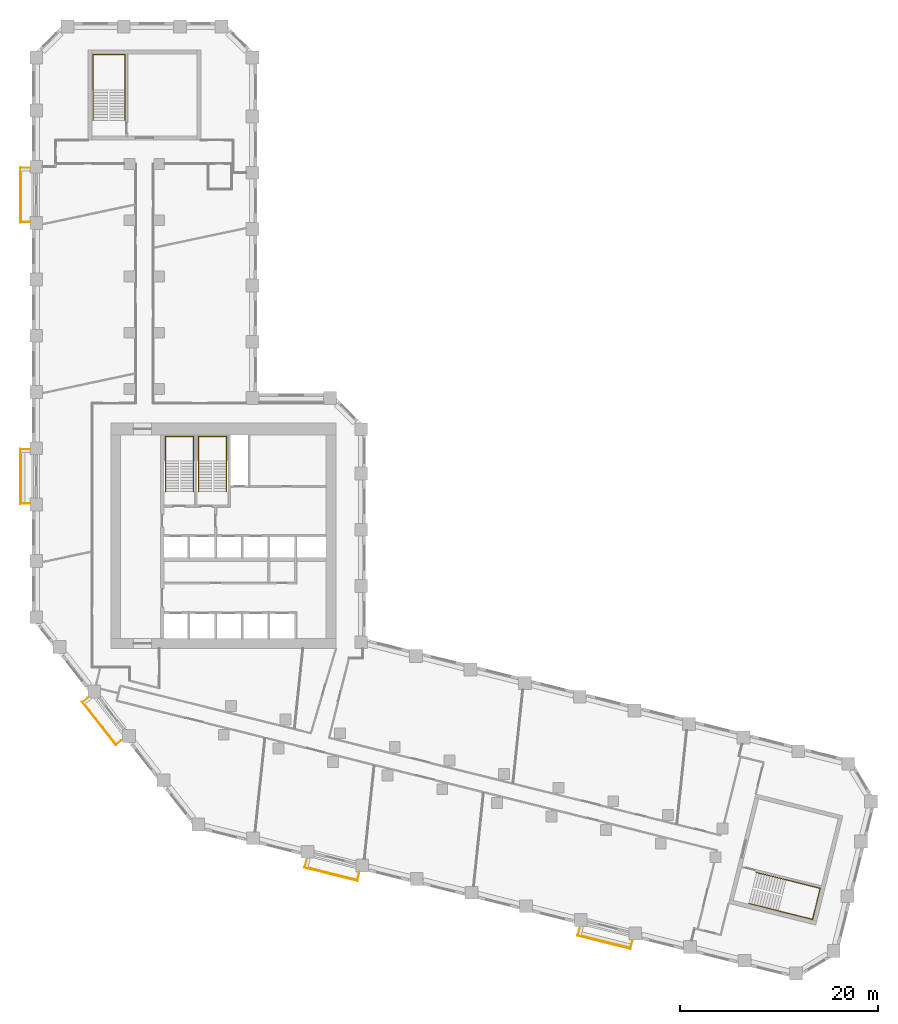
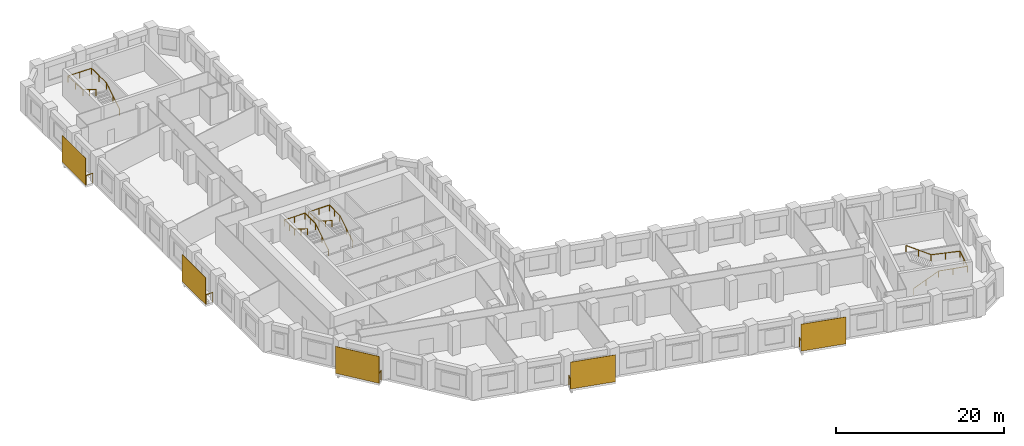
# One storey, part 11 of 11: 9 railings, 5 shading devices.
"""IFC4 building model written with IfcOpenShell, lengths in metres."""

from ifc_helpers import new_model, si_unit, direction, frame, origin, origin_2d, place, context, subcontext, project, spatial, rectangle, circle, extrude, material, layer, layer_set, type_object, element, save


model = new_model("IFC4")

# Units and contexts
model_context = context("Model", 3, precision=1e-05, world=origin(), true_north=direction((0.0, 1.0)))
body_context = subcontext(model_context, "Body", "Model", "MODEL_VIEW")
ifc_project = project(units=[si_unit("LENGTHUNIT", "METRE"), si_unit("AREAUNIT", "SQUARE_METRE"), si_unit("VOLUMEUNIT", "CUBIC_METRE"), si_unit("PLANEANGLEUNIT", "RADIAN"), si_unit("MASSUNIT", "GRAM", prefix="KILO")], contexts=[model_context])

# Site, building, storey
site_placement = place(None, origin())
site = spatial("IfcSite", under=ifc_project, at=site_placement, CompositionType="ELEMENT")
building_placement = place(site_placement, origin())
building = spatial("IfcBuilding", under=site, at=building_placement, Name="Meshkara Civic Tower", CompositionType="ELEMENT")
storey_placement = place(building_placement, frame((0.0, 0.0, 139.199951171875)))
storey = spatial("IfcBuildingStorey", under=building, at=storey_placement, Name="L31", CompositionType="ELEMENT", Elevation=139.199951171875)

# Railings
ifc_material_1 = material(Name="Steel S355", Category="steel")
railing_type_1 = type_object("IfcRailingType", Name="BALUSTRADE GUARD 1400", PredefinedType="BALUSTRADE", material=ifc_material_1)
for number, where, name in (
    (1, (-0.199951171875, 62.735107421875, 0.0), "Balcony guard"),
    (2, (-0.199951171875, 34.235107421875, 0.0), "Balcony guard"),
):
    element("IfcRailing", number, at=place(storey_placement, frame(where)), inside=storey, type_object=railing_type_1, Name=name, PredefinedType="BALUSTRADE", context=body_context, shape_type="SweptSolid", body=[
        extrude(circle(Radius=0.02392578125, at=origin_2d()), frame((0.0, 0.0, 1.3759765625), z_axis=(-1.0, 0.0, 0.0), x_axis=(0.0, -1.0, 0.0)), (0.0, 0.0, 1.0), 0.91015625),
        extrude(circle(Radius=0.02392578125, at=origin_2d()), frame((-0.91015625, 0.0, 1.3759765625), z_axis=(0.0, -1.0, 0.0), x_axis=(1.0, 0.0, 0.0)), (0.0, 0.0, 1.0), 5.460205078125),
        extrude(circle(Radius=0.02392578125, at=origin_2d()), frame((-0.91015625, -5.460205078125, 1.3759765625), z_axis=(1.0, 0.0, 0.0), x_axis=(0.0, 1.0, 0.0)), (0.0, 0.0, 1.0), 0.91015625),
        extrude(circle(Radius=0.02099609375, at=origin_2d()), origin(), (0.0, 0.0, 1.0), 1.351806640625),
        extrude(circle(Radius=0.02099609375, at=origin_2d()), frame((-0.91015625, 0.0, 0.0)), (0.0, 0.0, 1.0), 1.351806640625),
        extrude(circle(Radius=0.02099609375, at=origin_2d()), frame((-0.91015625, -1.092041015625, 0.0)), (0.0, 0.0, 1.0), 1.351806640625),
        extrude(circle(Radius=0.02099609375, at=origin_2d()), frame((-0.91015625, -2.18408203125, 0.0)), (0.0, 0.0, 1.0), 1.351806640625),
        extrude(circle(Radius=0.02099609375, at=origin_2d()), frame((-0.91015625, -3.276123046875, 0.0)), (0.0, 0.0, 1.0), 1.351806640625),
        extrude(circle(Radius=0.02099609375, at=origin_2d()), frame((-0.91015625, -4.3681640625, 0.0)), (0.0, 0.0, 1.0), 1.351806640625),
        extrude(circle(Radius=0.02099609375, at=origin_2d()), frame((-0.91015625, -5.460205078125, 0.0)), (0.0, 0.0, 1.0), 1.351806640625),
        extrude(circle(Radius=0.02099609375, at=origin_2d()), frame((0.0, -5.460205078125, 0.0)), (0.0, 0.0, 1.0), 1.351806640625),
    ])
railing_1_placement = place(storey_placement, frame((5.677978515625, 9.0810546875, 0.0)))
element("IfcRailing", 3, at=railing_1_placement, inside=storey, type_object=railing_type_1, Name="Balcony guard", PredefinedType="BALUSTRADE", context=body_context, shape_type="SweptSolid", body=[
    extrude(circle(Radius=0.02392578125, at=origin_2d()), frame((0.0, 0.0, 1.3759765625), z_axis=(-0.787481136241, -0.61633875431, 0.0), x_axis=(0.61633875431, -0.787481136241, 0.0)), (0.0, 0.0, 1.0), 0.647705078125),
    extrude(circle(Radius=0.02392578125, at=origin_2d()), frame((-0.510009765625, -0.399169921875, 1.3759765625), z_axis=(0.615684818606, -0.787992515281, 0.0), x_axis=(0.787992515281, 0.615684818606, 0.0)), (0.0, 0.0, 1.0), 5.460693359375),
    extrude(circle(Radius=0.02392578125, at=origin_2d()), frame((2.85205078125, -4.7021484375, 1.3759765625), z_axis=(0.787481136241, 0.61633875431, 0.0), x_axis=(-0.61633875431, 0.787481136241, 0.0)), (0.0, 0.0, 1.0), 0.647705078125),
    extrude(circle(Radius=0.02099609375, at=origin_2d()), origin(), (0.0, 0.0, 1.0), 1.351806640625),
    extrude(circle(Radius=0.02099609375, at=origin_2d()), frame((-0.510009765625, -0.399169921875, 0.0)), (0.0, 0.0, 1.0), 1.351806640625),
    extrude(circle(Radius=0.02099609375, at=origin_2d()), frame((0.162353515625, -1.259765625, 0.0)), (0.0, 0.0, 1.0), 1.351806640625),
    extrude(circle(Radius=0.02099609375, at=origin_2d()), frame((0.834716796875, -2.120361328125, 0.0)), (0.0, 0.0, 1.0), 1.351806640625),
    extrude(circle(Radius=0.02099609375, at=origin_2d()), frame((1.50732421875, -2.98095703125, 0.0)), (0.0, 0.0, 1.0), 1.351806640625),
    extrude(circle(Radius=0.02099609375, at=origin_2d()), frame((2.1796875, -3.841552734375, 0.0)), (0.0, 0.0, 1.0), 1.351806640625),
    extrude(circle(Radius=0.02099609375, at=origin_2d()), frame((2.85205078125, -4.7021484375, 0.0)), (0.0, 0.0, 1.0), 1.351806640625),
    extrude(circle(Radius=0.02099609375, at=origin_2d()), frame((3.362060546875, -4.302978515625, 0.0)), (0.0, 0.0, 1.0), 1.351806640625),
])
railing_2_placement = place(storey_placement, frame((27.837890625, -7.2890625, 0.0)))
element("IfcRailing", 4, at=railing_2_placement, inside=storey, type_object=railing_type_1, Name="Balcony guard", PredefinedType="BALUSTRADE", context=body_context, shape_type="SweptSolid", body=[
    extrude(circle(Radius=0.02392578125, at=origin_2d()), frame((0.0, 0.0, 1.3759765625), z_axis=(-0.242237978263, -0.970216863329, 0.0), x_axis=(0.970216863329, -0.242237978263, 0.0)), (0.0, 0.0, 1.0), 0.77197265625),
    extrude(circle(Radius=0.02392578125, at=origin_2d()), frame((-0.18701171875, -0.7490234375, 1.3759765625), z_axis=(0.970302726319, -0.241893818229, 0.0), x_axis=(0.241893818229, 0.970302726319, 0.0)), (0.0, 0.0, 1.0), 5.460205078125),
    extrude(circle(Radius=0.02392578125, at=origin_2d()), frame((5.111083984375, -2.06982421875, 1.3759765625), z_axis=(0.242312323582, 0.970198298205, 0.0), x_axis=(-0.970198298205, 0.242312323582, 0.0)), (0.0, 0.0, 1.0), 0.771728515625),
    extrude(circle(Radius=0.02099609375, at=origin_2d()), origin(), (0.0, 0.0, 1.0), 1.351806640625),
    extrude(circle(Radius=0.02099609375, at=origin_2d()), frame((-0.18701171875, -0.7490234375, 0.0)), (0.0, 0.0, 1.0), 1.351806640625),
    extrude(circle(Radius=0.02099609375, at=origin_2d()), frame((0.87255859375, -1.01318359375, 0.0)), (0.0, 0.0, 1.0), 1.351806640625),
    extrude(circle(Radius=0.02099609375, at=origin_2d()), frame((1.93212890625, -1.27734375, 0.0)), (0.0, 0.0, 1.0), 1.351806640625),
    extrude(circle(Radius=0.02099609375, at=origin_2d()), frame((2.991943359375, -1.54150390625, 0.0)), (0.0, 0.0, 1.0), 1.351806640625),
    extrude(circle(Radius=0.02099609375, at=origin_2d()), frame((4.051513671875, -1.8056640625, 0.0)), (0.0, 0.0, 1.0), 1.351806640625),
    extrude(circle(Radius=0.02099609375, at=origin_2d()), frame((5.111083984375, -2.06982421875, 0.0)), (0.0, 0.0, 1.0), 1.351806640625),
    extrude(circle(Radius=0.02099609375, at=origin_2d()), frame((5.298095703125, -1.321044921875, 0.0)), (0.0, 0.0, 1.0), 1.351806640625),
])
railing_3_placement = place(storey_placement, frame((55.491943359375, -14.18408203125, 0.0)))
element("IfcRailing", 5, at=railing_3_placement, inside=storey, type_object=railing_type_1, Name="Balcony guard", PredefinedType="BALUSTRADE", context=body_context, shape_type="SweptSolid", body=[
    extrude(circle(Radius=0.02392578125, at=origin_2d()), frame((0.0, 0.0, 1.3759765625), z_axis=(-0.242237978263, -0.970216863329, 0.0), x_axis=(0.970216863329, -0.242237978263, 0.0)), (0.0, 0.0, 1.0), 0.77197265625),
    extrude(circle(Radius=0.02392578125, at=origin_2d()), frame((-0.18701171875, -0.7490234375, 1.3759765625), z_axis=(0.970302726319, -0.241893818229, 0.0), x_axis=(0.241893818229, 0.970302726319, 0.0)), (0.0, 0.0, 1.0), 5.460205078125),
    extrude(circle(Radius=0.02392578125, at=origin_2d()), frame((5.111083984375, -2.06982421875, 1.3759765625), z_axis=(0.242237978263, 0.970216863329, 0.0), x_axis=(-0.970216863329, 0.242237978263, 0.0)), (0.0, 0.0, 1.0), 0.77197265625),
    extrude(circle(Radius=0.02099609375, at=origin_2d()), origin(), (0.0, 0.0, 1.0), 1.351806640625),
    extrude(circle(Radius=0.02099609375, at=origin_2d()), frame((-0.18701171875, -0.7490234375, 0.0)), (0.0, 0.0, 1.0), 1.351806640625),
    extrude(circle(Radius=0.02099609375, at=origin_2d()), frame((0.87255859375, -1.01318359375, 0.0)), (0.0, 0.0, 1.0), 1.351806640625),
    extrude(circle(Radius=0.02099609375, at=origin_2d()), frame((1.93212890625, -1.27734375, 0.0)), (0.0, 0.0, 1.0), 1.351806640625),
    extrude(circle(Radius=0.02099609375, at=origin_2d()), frame((2.991943359375, -1.54150390625, 0.0)), (0.0, 0.0, 1.0), 1.351806640625),
    extrude(circle(Radius=0.02099609375, at=origin_2d()), frame((4.051513671875, -1.8056640625, 0.0)), (0.0, 0.0, 1.0), 1.351806640625),
    extrude(circle(Radius=0.02099609375, at=origin_2d()), frame((5.111083984375, -2.06982421875, 0.0)), (0.0, 0.0, 1.0), 1.351806640625),
    extrude(circle(Radius=0.02099609375, at=origin_2d()), frame((5.298095703125, -1.32080078125, 0.0)), (0.0, 0.0, 1.0), 1.351806640625),
])

# Shading devices
ifc_material_2 = material(Name="Perforated bronze anodised aluminium sheet", Category="aluminium")
ifc_layer = layer(ifc_material_2, 0.0400390625)
ifc_layer_set = layer_set([ifc_layer], Name="PERFORATED BRONZE SCREEN")
shading_device_type = type_object("IfcShadingDeviceType", Name="PERFORATED BRONZE SCREEN", PredefinedType="USERDEFINED", material=ifc_layer_set)
for number, where, z_axis, x_axis, name in (
    (6, (-1.179931640625, 60.0048828125, 0.0), (0.0, 0.0, 1.0), (0.0, -1.0, 0.0), "Balcony screen"),
    (7, (-1.179931640625, 31.5048828125, 0.0), (0.0, 0.0, 1.0), (0.0, -1.0, 0.0), "Balcony screen"),
):
    element("IfcShadingDevice", number, at=place(storey_placement, frame(where, z_axis=z_axis, x_axis=x_axis)), inside=storey, type_object=shading_device_type, Name=name, ObjectType="SCREEN", PredefinedType="USERDEFINED", context=body_context, shape_type="SweptSolid", body=[
        extrude(rectangle(XDim=5.580078125, YDim=0.0400390625, at=origin_2d()), origin(), (0.0, 0.0, 1.0), 3.89990234375),
    ])
shading_device_placement = place(storey_placement, frame((6.7939453125, 6.488037109375, 0.0), z_axis=(0.0, 0.0, 1.0), x_axis=(0.615661475326, -0.788010753607, 0.0)))
element("IfcShadingDevice", 8, at=shading_device_placement, inside=storey, type_object=shading_device_type, Name="Balcony screen", ObjectType="SCREEN", PredefinedType="USERDEFINED", context=body_context, shape_type="SweptSolid", body=[
    extrude(rectangle(XDim=5.5810546875, YDim=0.0400390625, at=origin_2d()), origin(), (0.0, 0.0, 1.0), 3.89990234375),
])
for number, where, z_axis, x_axis, name in (
    (9, (30.282958984375, -8.76708984375, 0.0), (0.0, 0.0, 1.0), (0.970299948462, -0.241904960708, 0.0), "Balcony screen"),
    (10, (57.93701171875, -15.660888671875, 0.0), (0.0, 0.0, 1.0), (0.970299948462, -0.241904960708, 0.0), "Balcony screen"),
):
    element("IfcShadingDevice", number, at=place(storey_placement, frame(where, z_axis=z_axis, x_axis=x_axis)), inside=storey, type_object=shading_device_type, Name=name, ObjectType="SCREEN", PredefinedType="USERDEFINED", context=body_context, shape_type="SweptSolid", body=[
        extrude(rectangle(XDim=5.580078125, YDim=0.0400390625, at=origin_2d()), origin(), (0.0, 0.0, 1.0), 3.89990234375),
    ])

# Railings
ifc_material_3 = material(Name="Steel handrail", Category="steel")
railing_type_2 = type_object("IfcRailingType", Name="Stair handrail 900", PredefinedType="HANDRAIL", material=ifc_material_3)
railing_4_placement = place(storey_placement, frame((16.375, 30.0, 0.175048828125)))
element("IfcRailing", 11, at=railing_4_placement, inside=storey, type_object=railing_type_2, Name="L31 ST1 stair handrail 1", PredefinedType="HANDRAIL", context=body_context, shape_type="SweptSolid", body=[
    extrude(circle(Radius=0.02392578125, at=origin_2d()), frame((0.0, 0.0, 0.8759765625), z_axis=(0.0, 0.847998304005, 0.529998940003), x_axis=(-1.0, 0.0, 0.0)), (0.0, 0.0, 1.0), 3.632080078125),
    extrude(circle(Radius=0.02392578125, at=origin_2d()), frame((0.0, 3.080078125, 2.80078125), z_axis=(0.0, 1.0, 0.0), x_axis=(-1.0, 0.0, 0.0)), (0.0, 0.0, 1.0), 2.469970703125),
    extrude(circle(Radius=0.02392578125, at=origin_2d()), frame((0.0, 5.550048828125, 2.80078125), z_axis=(-1.0, 0.0, 0.0), x_axis=(0.0, -1.0, 0.0)), (0.0, 0.0, 1.0), 2.85009765625),
    extrude(circle(Radius=0.02392578125, at=origin_2d()), frame((-2.85009765625, 5.550048828125, 2.80078125), z_axis=(0.0, -0.997498084828, 0.070693498747), x_axis=(1.0, 0.0, 0.0)), (0.0, 0.0, 1.0), 2.47607421875),
    extrude(circle(Radius=0.02392578125, at=origin_2d()), frame((-2.85009765625, 3.080078125, 2.97607421875), z_axis=(0.0, -0.848028513186, 0.529950602248), x_axis=(1.0, 0.0, 0.0)), (0.0, 0.0, 1.0), 3.632080078125),
    extrude(circle(Radius=0.02099609375, at=origin_2d()), origin(), (0.0, 0.0, 1.0), 0.851806640625),
    extrude(circle(Radius=0.02099609375, at=origin_2d()), frame((0.0, 1.5400390625, 0.96240234375)), (0.0, 0.0, 1.0), 0.851806640625),
    extrude(circle(Radius=0.02099609375, at=origin_2d()), frame((0.0, 3.080078125, 1.925048828125)), (0.0, 0.0, 1.0), 0.851806640625),
    extrude(circle(Radius=0.02099609375, at=origin_2d()), frame((0.0, 4.31494140625, 1.925048828125)), (0.0, 0.0, 1.0), 0.851806640625),
    extrude(circle(Radius=0.02099609375, at=origin_2d()), frame((0.0, 5.550048828125, 1.925048828125)), (0.0, 0.0, 1.0), 0.851806640625),
    extrude(circle(Radius=0.02099609375, at=origin_2d()), frame((-1.425048828125, 5.550048828125, 1.925048828125)), (0.0, 0.0, 1.0), 0.851806640625),
    extrude(circle(Radius=0.02099609375, at=origin_2d()), frame((-2.85009765625, 5.550048828125, 1.925048828125)), (0.0, 0.0, 1.0), 0.851806640625),
    extrude(circle(Radius=0.02099609375, at=origin_2d()), frame((-2.85009765625, 4.31494140625, 2.0126953125)), (0.0, 0.0, 1.0), 0.851806640625),
    extrude(circle(Radius=0.02099609375, at=origin_2d()), frame((-2.85009765625, 3.080078125, 2.10009765625)), (0.0, 0.0, 1.0), 0.851806640625),
    extrude(circle(Radius=0.02099609375, at=origin_2d()), frame((-2.85009765625, 1.5400390625, 3.0625)), (0.0, 0.0, 1.0), 0.851806640625),
    extrude(circle(Radius=0.02099609375, at=origin_2d()), frame((-2.85009765625, 0.0, 4.02490234375)), (0.0, 0.0, 1.0), 0.851806640625),
])
railing_5_placement = place(storey_placement, frame((19.72509765625, 30.0, 0.175048828125)))
element("IfcRailing", 12, at=railing_5_placement, inside=storey, type_object=railing_type_2, Name="L31 ST2 stair handrail 1", PredefinedType="HANDRAIL", context=body_context, shape_type="SweptSolid", body=[
    extrude(circle(Radius=0.02392578125, at=origin_2d()), frame((0.0, 0.0, 0.8759765625), z_axis=(0.0, 0.847998304005, 0.529998940003), x_axis=(-1.0, 0.0, 0.0)), (0.0, 0.0, 1.0), 3.632080078125),
    extrude(circle(Radius=0.02392578125, at=origin_2d()), frame((0.0, 3.080078125, 2.80078125), z_axis=(0.0, 1.0, 0.0), x_axis=(-1.0, 0.0, 0.0)), (0.0, 0.0, 1.0), 2.469970703125),
    extrude(circle(Radius=0.02392578125, at=origin_2d()), frame((0.0, 5.550048828125, 2.80078125), z_axis=(-1.0, 0.0, 0.0), x_axis=(0.0, -1.0, 0.0)), (0.0, 0.0, 1.0), 2.85009765625),
    extrude(circle(Radius=0.02392578125, at=origin_2d()), frame((-2.85009765625, 5.550048828125, 2.80078125), z_axis=(0.0, -0.997498084828, 0.070693498747), x_axis=(1.0, 0.0, 0.0)), (0.0, 0.0, 1.0), 2.47607421875),
    extrude(circle(Radius=0.02392578125, at=origin_2d()), frame((-2.85009765625, 3.080078125, 2.97607421875), z_axis=(0.0, -0.848028513186, 0.529950602248), x_axis=(1.0, 0.0, 0.0)), (0.0, 0.0, 1.0), 3.632080078125),
    extrude(circle(Radius=0.02099609375, at=origin_2d()), origin(), (0.0, 0.0, 1.0), 0.851806640625),
    extrude(circle(Radius=0.02099609375, at=origin_2d()), frame((0.0, 1.5400390625, 0.96240234375)), (0.0, 0.0, 1.0), 0.851806640625),
    extrude(circle(Radius=0.02099609375, at=origin_2d()), frame((0.0, 3.080078125, 1.925048828125)), (0.0, 0.0, 1.0), 0.851806640625),
    extrude(circle(Radius=0.02099609375, at=origin_2d()), frame((0.0, 4.31494140625, 1.925048828125)), (0.0, 0.0, 1.0), 0.851806640625),
    extrude(circle(Radius=0.02099609375, at=origin_2d()), frame((0.0, 5.550048828125, 1.925048828125)), (0.0, 0.0, 1.0), 0.851806640625),
    extrude(circle(Radius=0.02099609375, at=origin_2d()), frame((-1.425048828125, 5.550048828125, 1.925048828125)), (0.0, 0.0, 1.0), 0.851806640625),
    extrude(circle(Radius=0.02099609375, at=origin_2d()), frame((-2.85009765625, 5.550048828125, 1.925048828125)), (0.0, 0.0, 1.0), 0.851806640625),
    extrude(circle(Radius=0.02099609375, at=origin_2d()), frame((-2.85009765625, 4.31494140625, 2.0126953125)), (0.0, 0.0, 1.0), 0.851806640625),
    extrude(circle(Radius=0.02099609375, at=origin_2d()), frame((-2.85009765625, 3.080078125, 2.10009765625)), (0.0, 0.0, 1.0), 0.851806640625),
    extrude(circle(Radius=0.02099609375, at=origin_2d()), frame((-2.85009765625, 1.5400390625, 3.0625)), (0.0, 0.0, 1.0), 0.851806640625),
    extrude(circle(Radius=0.02099609375, at=origin_2d()), frame((-2.85009765625, 0.0, 4.02490234375)), (0.0, 0.0, 1.0), 0.851806640625),
])
railing_6_placement = place(storey_placement, frame((9.425048828125, 67.570068359375, 0.175048828125)))
element("IfcRailing", 13, at=railing_6_placement, inside=storey, type_object=railing_type_2, Name="L31 ESA2 stair handrail 1", PredefinedType="HANDRAIL", context=body_context, shape_type="SweptSolid", body=[
    extrude(circle(Radius=0.02392578125, at=origin_2d()), frame((0.0, 0.0, 0.8759765625), z_axis=(0.0, 0.847979421464, 0.530029150871), x_axis=(-1.0, 0.0, 0.0)), (0.0, 0.0, 1.0), 3.632080078125),
    extrude(circle(Radius=0.02392578125, at=origin_2d()), frame((0.0, 3.079833984375, 2.80078125), z_axis=(0.0, 1.0, 0.0), x_axis=(-1.0, 0.0, 0.0)), (0.0, 0.0, 1.0), 3.570068359375),
    extrude(circle(Radius=0.02392578125, at=origin_2d()), frame((0.0, 6.64990234375, 2.80078125), z_axis=(-1.0, 0.0, 0.0), x_axis=(0.0, -1.0, 0.0)), (0.0, 0.0, 1.0), 3.25),
    extrude(circle(Radius=0.02392578125, at=origin_2d()), frame((-3.25, 6.64990234375, 2.80078125), z_axis=(0.0, -0.998800077689, 0.048973511297), x_axis=(1.0, 0.0, 0.0)), (0.0, 0.0, 1.0), 3.574462890625),
    extrude(circle(Radius=0.02392578125, at=origin_2d()), frame((-3.25, 3.079833984375, 2.97607421875), z_axis=(0.0, -0.848009633417, 0.529980812513), x_axis=(1.0, 0.0, 0.0)), (0.0, 0.0, 1.0), 3.6318359375),
    extrude(circle(Radius=0.02099609375, at=origin_2d()), origin(), (0.0, 0.0, 1.0), 0.851806640625),
    extrude(circle(Radius=0.02099609375, at=origin_2d()), frame((0.0, 1.5400390625, 0.96240234375)), (0.0, 0.0, 1.0), 0.851806640625),
    extrude(circle(Radius=0.02099609375, at=origin_2d()), frame((0.0, 3.079833984375, 1.925048828125)), (0.0, 0.0, 1.0), 0.851806640625),
    extrude(circle(Radius=0.02099609375, at=origin_2d()), frame((0.0, 4.86474609375, 1.925048828125)), (0.0, 0.0, 1.0), 0.851806640625),
    extrude(circle(Radius=0.02099609375, at=origin_2d()), frame((0.0, 6.64990234375, 1.925048828125)), (0.0, 0.0, 1.0), 0.851806640625),
    extrude(circle(Radius=0.02099609375, at=origin_2d()), frame((-1.625, 6.64990234375, 1.925048828125)), (0.0, 0.0, 1.0), 0.851806640625),
    extrude(circle(Radius=0.02099609375, at=origin_2d()), frame((-3.25, 6.64990234375, 1.925048828125)), (0.0, 0.0, 1.0), 0.851806640625),
    extrude(circle(Radius=0.02099609375, at=origin_2d()), frame((-3.25, 4.86474609375, 2.0126953125)), (0.0, 0.0, 1.0), 0.851806640625),
    extrude(circle(Radius=0.02099609375, at=origin_2d()), frame((-3.25, 3.079833984375, 2.10009765625)), (0.0, 0.0, 1.0), 0.851806640625),
    extrude(circle(Radius=0.02099609375, at=origin_2d()), frame((-3.25, 1.5400390625, 3.0625)), (0.0, 0.0, 1.0), 0.851806640625),
    extrude(circle(Radius=0.02099609375, at=origin_2d()), frame((-3.25, 0.0, 4.02490234375)), (0.0, 0.0, 1.0), 0.851806640625),
])
railing_7_placement = place(storey_placement, frame((72.587158203125, -11.73388671875, 0.175048828125)))
element("IfcRailing", 14, at=railing_7_placement, inside=storey, type_object=railing_type_2, Name="L31 ESB2 stair handrail 1", PredefinedType="HANDRAIL", context=body_context, shape_type="SweptSolid", body=[
    extrude(circle(Radius=0.02392578125, at=origin_2d()), frame((0.0, 0.0, 0.8759765625), z_axis=(0.82276025377, -0.205286749593, 0.530021617727), x_axis=(0.242087961707, 0.97025430625, 0.0)), (0.0, 0.0, 1.0), 3.632080078125),
    extrude(circle(Radius=0.02392578125, at=origin_2d()), frame((2.98828125, -0.74560546875, 2.80078125), z_axis=(0.97025503065, -0.242085058395, 0.0), x_axis=(0.242085058395, 0.97025503065, 0.0)), (0.0, 0.0, 1.0), 3.570068359375),
    extrude(circle(Radius=0.02392578125, at=origin_2d()), frame((6.4521484375, -1.60986328125, 2.80078125), z_axis=(0.242040676986, 0.970266103027, 0.0), x_axis=(-0.970266103027, 0.242040676986, 0.0)), (0.0, 0.0, 1.0), 3.25),
    extrude(circle(Radius=0.02392578125, at=origin_2d()), frame((7.23876953125, 1.54345703125, 2.80078125), z_axis=(-0.969090793551, 0.241794573525, 0.048973646672), x_axis=(-0.242085058395, -0.97025503065, 0.0)), (0.0, 0.0, 1.0), 3.574462890625),
    extrude(circle(Radius=0.02392578125, at=origin_2d()), frame((3.77490234375, 2.40771484375, 2.97607421875), z_axis=(-0.822789566377, 0.205294063375, 0.529973279519), x_axis=(-0.242087961707, -0.97025430625, 0.0)), (0.0, 0.0, 1.0), 3.6318359375),
    extrude(circle(Radius=0.02099609375, at=origin_2d()), origin(), (0.0, 0.0, 1.0), 0.851806640625),
    extrude(circle(Radius=0.02099609375, at=origin_2d()), frame((1.494140625, -0.372802734375, 0.96240234375)), (0.0, 0.0, 1.0), 0.851806640625),
    extrude(circle(Radius=0.02099609375, at=origin_2d()), frame((2.98828125, -0.74560546875, 1.925048828125)), (0.0, 0.0, 1.0), 0.851806640625),
    extrude(circle(Radius=0.02099609375, at=origin_2d()), frame((4.72021484375, -1.177734375, 1.925048828125)), (0.0, 0.0, 1.0), 0.851806640625),
    extrude(circle(Radius=0.02099609375, at=origin_2d()), frame((6.4521484375, -1.60986328125, 1.925048828125)), (0.0, 0.0, 1.0), 0.851806640625),
    extrude(circle(Radius=0.02099609375, at=origin_2d()), frame((6.845458984375, -0.033203125, 1.925048828125)), (0.0, 0.0, 1.0), 0.851806640625),
    extrude(circle(Radius=0.02099609375, at=origin_2d()), frame((7.23876953125, 1.54345703125, 1.925048828125)), (0.0, 0.0, 1.0), 0.851806640625),
    extrude(circle(Radius=0.02099609375, at=origin_2d()), frame((5.5068359375, 1.9755859375, 2.0126953125)), (0.0, 0.0, 1.0), 0.851806640625),
    extrude(circle(Radius=0.02099609375, at=origin_2d()), frame((3.77490234375, 2.40771484375, 2.10009765625)), (0.0, 0.0, 1.0), 0.851806640625),
    extrude(circle(Radius=0.02099609375, at=origin_2d()), frame((2.28076171875, 2.780517578125, 3.0625)), (0.0, 0.0, 1.0), 0.851806640625),
    extrude(circle(Radius=0.02099609375, at=origin_2d()), frame((0.78662109375, 3.1533203125, 4.02490234375)), (0.0, 0.0, 1.0), 0.851806640625),
])

save(model, "model.ifc")
